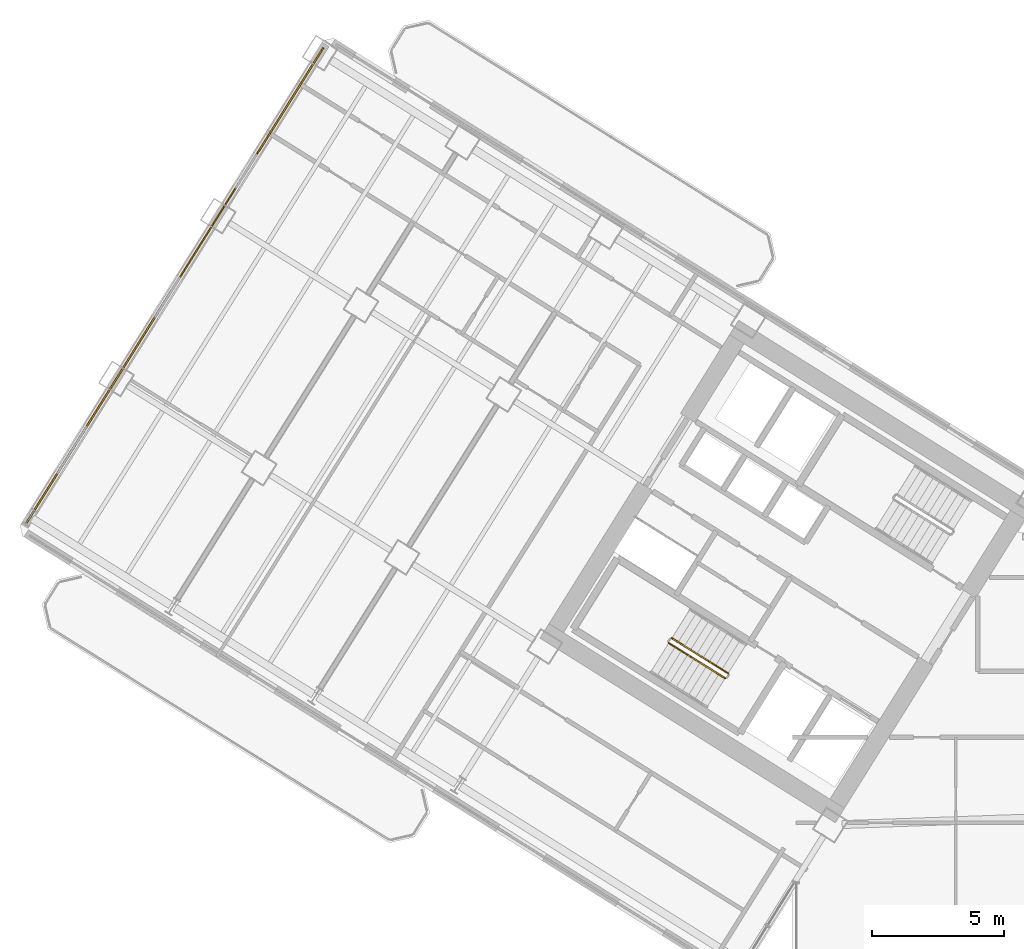
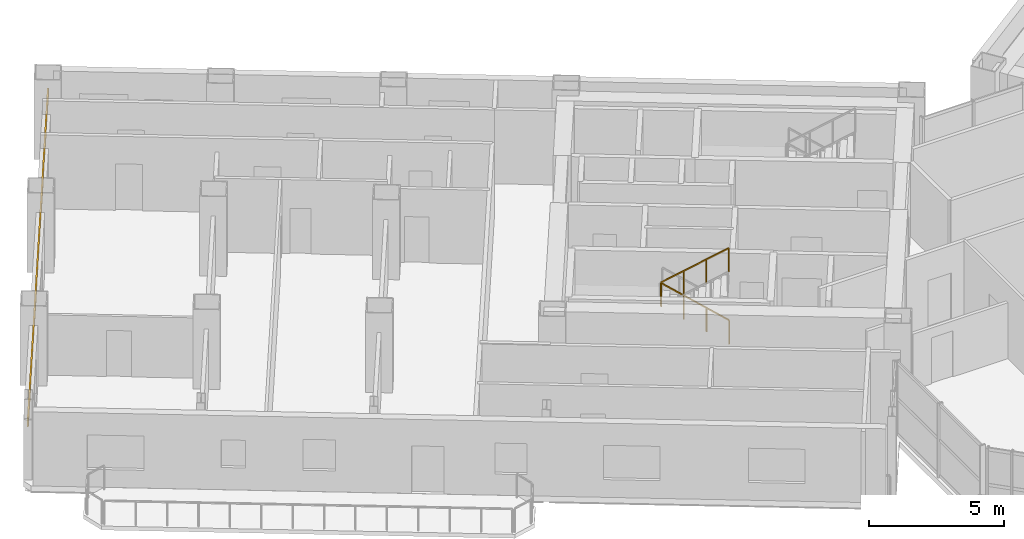
# One storey, part 23 of 28: 2 railings, 1 covering.
"""IFC4 building model written with IfcOpenShell, lengths in metres."""

from ifc_helpers import new_model, si_unit, direction, frame, origin, origin_2d, place, context, subcontext, project, spatial, rectangle, extrude, source, transform, mapped, material, layer, layer_set, type_object, element, save


model = new_model("IFC4")

# Units and contexts
model_context = context("Model", 3, precision=1e-05, world=origin(), true_north=direction((0.0, 1.0)))
body_context = subcontext(model_context, "Body", "Model", "MODEL_VIEW")
ifc_project = project(units=[si_unit("LENGTHUNIT", "METRE"), si_unit("AREAUNIT", "SQUARE_METRE"), si_unit("VOLUMEUNIT", "CUBIC_METRE"), si_unit("PLANEANGLEUNIT", "RADIAN"), si_unit("MASSUNIT", "GRAM", prefix="KILO")], contexts=[model_context])

# Site, building, storey
site_placement = place(None, origin())
site = spatial("IfcSite", under=ifc_project, at=site_placement, CompositionType="ELEMENT")
building_placement = place(site_placement, origin())
building = spatial("IfcBuilding", under=site, at=building_placement, Name="Tlacorven Tower", CompositionType="ELEMENT")
storey_placement = place(building_placement, frame((0.0, 0.0, 42.0)))
storey = spatial("IfcBuildingStorey", under=building, at=storey_placement, Name="L10", CompositionType="ELEMENT", Elevation=42.0)

# Covering
ifc_material_1 = material(Name="Precast concrete C45/55", Category="concrete")
ifc_layer = layer(ifc_material_1, 0.06005859375)
ifc_layer_set = layer_set([ifc_layer], Name="Precast concrete C45/55")
covering_type = type_object("IfcCoveringType", Name="CV-CLD-TERC", PredefinedType="CLADDING", material=ifc_layer_set)
shared_shape_1 = source(origin(), body_context, "Body", "SweptSolid", [
    extrude(rectangle(XDim=21.287353515625, YDim=0.06005859375, at=origin_2d()), origin(), (0.0, 0.0, 1.0), 0.419921875),
])
covering_placement = place(storey_placement, frame((8.13427734375, 32.606201171875, 2.304931640625), z_axis=(0.0, 0.0, 1.0), x_axis=(0.529918940959, 0.84804829816, 0.0)))
element("IfcCovering", 1, at=covering_placement, inside=storey, type_object=covering_type, Name="L10 Masonry-Frame Spandrel Cladding 2", PredefinedType="CLADDING", context=body_context, shape_type="MappedRepresentation", body=[
    mapped(shared_shape_1, transform((0.0, 0.0, 0.0), scale=1.0)),
])

# Railings
ifc_material_2 = material(Name="Aluminium and painted steel balustrade", Category="steel")
railing_type = type_object("IfcRailingType", Name="RL-GRD-1100", PredefinedType="GUARDRAIL", material=ifc_material_2)
shared_shape_2 = source(origin(), body_context, "Body", "SweptSolid", [
    extrude(rectangle(XDim=0.048095703125, YDim=0.048095703125, at=origin_2d()), frame((0.0, 0.0, 1.076171875), z_axis=(-0.713319727316, 0.445773895627, 0.540796265334), x_axis=(-0.529955395941, -0.84802551749, 0.0)), (0.0, 0.0, 1.0), 2.995849609375),
    extrude(rectangle(XDim=0.0419921875, YDim=0.0419921875, at=origin_2d()), origin(), (0.0, 0.0, 1.0), 1.052001953125),
    extrude(rectangle(XDim=0.0419921875, YDim=0.0419921875, at=origin_2d()), frame((-0.71240234375, 0.445068359375, 0.5400390625)), (0.0, 0.0, 1.0), 1.052001953125),
    extrude(rectangle(XDim=0.0419921875, YDim=0.0419921875, at=origin_2d()), frame((-1.424560546875, 0.890380859375, 1.080078125)), (0.0, 0.0, 1.0), 1.052001953125),
    extrude(rectangle(XDim=0.0419921875, YDim=0.0419921875, at=origin_2d()), frame((-2.136962890625, 1.33544921875, 1.6201171875)), (0.0, 0.0, 1.0), 1.052001953125),
])
railing_1_placement = place(storey_placement, frame((29.16064453125, 17.851806640625, 0.179931640625)))
element("IfcRailing", 2, at=railing_1_placement, inside=storey, type_object=railing_type, Name="L10 ST-W1 stair guard 1", PredefinedType="GUARDRAIL", context=body_context, shape_type="MappedRepresentation", body=[
    mapped(shared_shape_2, transform((0.0, 0.0, 0.0), scale=1.0)),
])
shared_shape_3 = source(origin(), body_context, "Body", "SweptSolid", [
    extrude(rectangle(XDim=0.048095703125, YDim=0.048095703125, at=origin_2d()), frame((0.0, 0.0, 1.076171875), z_axis=(0.713359751793, -0.4457479829, 0.540764828981), x_axis=(0.529911857636, 0.848052724267, 0.0)), (0.0, 0.0, 1.0), 2.99609375),
    extrude(rectangle(XDim=0.0419921875, YDim=0.0419921875, at=origin_2d()), origin(), (0.0, 0.0, 1.0), 1.052001953125),
    extrude(rectangle(XDim=0.0419921875, YDim=0.0419921875, at=origin_2d()), frame((0.71240234375, -0.445068359375, 0.5400390625)), (0.0, 0.0, 1.0), 1.052001953125),
    extrude(rectangle(XDim=0.0419921875, YDim=0.0419921875, at=origin_2d()), frame((1.4248046875, -0.890380859375, 1.080078125)), (0.0, 0.0, 1.0), 1.052001953125),
    extrude(rectangle(XDim=0.0419921875, YDim=0.0419921875, at=origin_2d()), frame((2.13720703125, -1.33544921875, 1.6201171875)), (0.0, 0.0, 1.0), 1.052001953125),
])
railing_2_placement = place(storey_placement, frame((26.906982421875, 19.000732421875, 1.97998046875)))
element("IfcRailing", 3, at=railing_2_placement, inside=storey, type_object=railing_type, Name="L10 ST-W1 stair guard 3", PredefinedType="GUARDRAIL", context=body_context, shape_type="MappedRepresentation", body=[
    mapped(shared_shape_3, transform((0.0, 0.0, 0.0), scale=1.0)),
])

save(model, "model.ifc")
